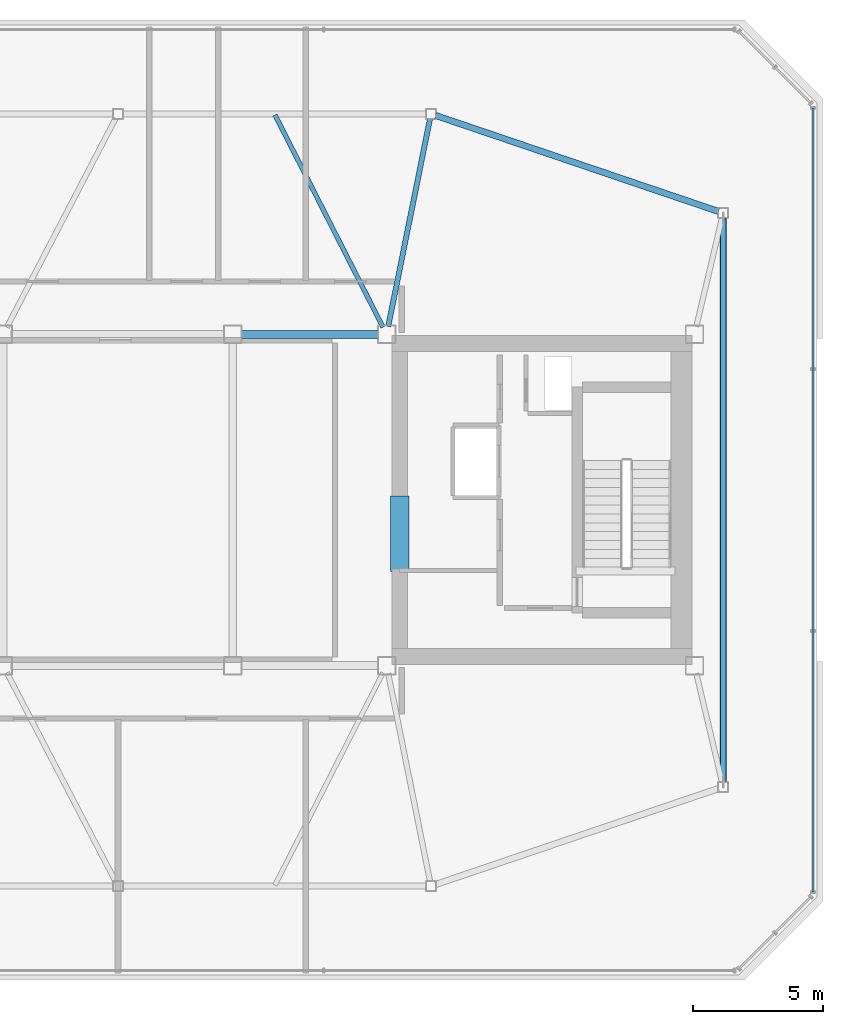
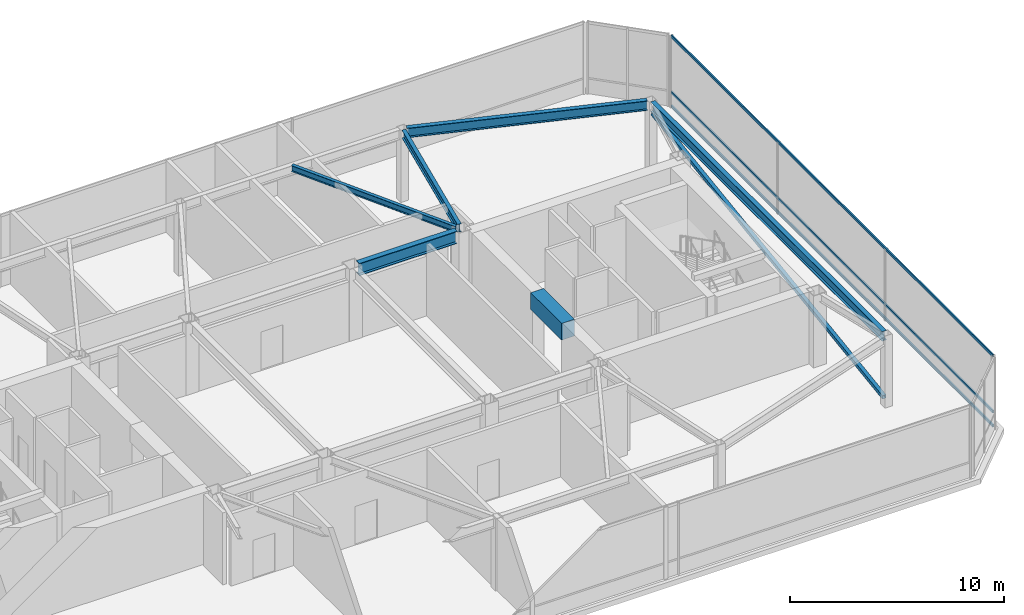
# One storey, part 11 of 22: 6 beams, 4 members, 1 element without a shape of its own.
"""IFC4 building model written with IfcOpenShell, lengths in metres."""

from ifc_helpers import new_model, si_unit, direction, frame, origin, origin_2d, place, context, subcontext, project, spatial, rectangle, hollow_rectangle, i_section, extrude, material, layer, layer_set, material_profile, profile_set, type_object, element, aggregate, save


model = new_model("IFC4")

# Units and contexts
model_context = context("Model", 3, precision=1e-05, world=origin(), true_north=direction((0.0, 1.0)))
body_context = subcontext(model_context, "Body", "Model", "MODEL_VIEW")
ifc_project = project(units=[si_unit("LENGTHUNIT", "METRE"), si_unit("AREAUNIT", "SQUARE_METRE"), si_unit("VOLUMEUNIT", "CUBIC_METRE"), si_unit("PLANEANGLEUNIT", "RADIAN"), si_unit("MASSUNIT", "GRAM", prefix="KILO")], contexts=[model_context])

# Site, building, storey
site_placement = place(None, origin())
site = spatial("IfcSite", under=ifc_project, at=site_placement, CompositionType="ELEMENT")
building_placement = place(site_placement, origin())
building = spatial("IfcBuilding", under=site, at=building_placement, Name="Tavrogorsk Clinical Tower", CompositionType="ELEMENT")
storey_placement = place(building_placement, frame((0.0, 0.0, 339.800048828125)))
storey = spatial("IfcBuildingStorey", under=building, at=storey_placement, Name="L79", CompositionType="ELEMENT", Elevation=339.800048828125)

# Beam
ifc_material_1 = material(Name="Concrete B80", Category="concrete")
ifc_material_profile_1 = material_profile(ifc_material_1, rectangle(XDim=0.699951171875, YDim=0.949951171875, at=origin_2d()), Name="RC-CB-700x950")
ifc_profile_set_1 = profile_set([ifc_material_profile_1], Name="Concrete B80")
beam_type_1 = type_object("IfcBeamType", Name="CouplingBeam_RC700x950", PredefinedType="LINTEL", material=ifc_profile_set_1)
beam_1_placement = place(storey_placement, frame((10.800048828125, -2.75, 3.625), z_axis=(0.0, 1.0, 0.0), x_axis=(-1.0, 0.0, 0.0)))
element("IfcBeam", 1, at=beam_1_placement, inside=storey, type_object=beam_type_1, Name="L79 Core East Coupling Beam", PredefinedType="LINTEL", context=body_context, shape_type="SweptSolid", body=[
    extrude(rectangle(XDim=0.699951171875, YDim=0.949951171875, at=origin_2d()), origin(), (0.0, 0.0, 1.0), 2.89990234375),
])

# Member
ifc_material_2 = material(Name="Structural steel S355", Category="steel")
ifc_material_profile_2 = material_profile(ifc_material_2, hollow_rectangle(XDim=0.199951171875, YDim=0.199951171875, WallThickness=0.010009765625, at=origin_2d()), Name="SHS-200x200x10")
ifc_profile_set_2 = profile_set([ifc_material_profile_2], Name="Structural steel S355")
member_type_1 = type_object("IfcMemberType", Name="CrownBrace_SHS200", PredefinedType="BRACE", material=ifc_profile_set_2)
member_1_placement = place(storey_placement, frame((23.199951171875, -10.792236328125, 0.32958984375), z_axis=(0.0, 0.989903983744, 0.141739560346), x_axis=(-1.0, 0.0, 0.0)))
element("IfcMember", 2, at=member_1_placement, inside=storey, type_object=member_type_1, Name="L79 Crown Drum Brace 2", PredefinedType="BRACE", context=body_context, shape_type="SweptSolid", body=[
    extrude(hollow_rectangle(XDim=0.199951171875, YDim=0.199951171875, WallThickness=0.010009765625, at=origin_2d()), origin(), (0.0, 0.0, 1.0), 21.8046875),
])

# Curtain wall, members
ifc_material_3 = material(Name="Anodised aluminium and triple IGU glazing", Category="aluminium")
ifc_layer = layer(ifc_material_3, 0.179931640625)
ifc_layer_set = layer_set([ifc_layer], Name="Anodised aluminium and triple IGU glazing")
curtain_wall_type = type_object("IfcCurtainWallType", Name="CW6_TmdLantern", PredefinedType="NOTDEFINED", material=ifc_layer_set)
curtain_wall_placement = place(storey_placement, origin())
curtain_wall = element("IfcCurtainWall", 3, at=curtain_wall_placement, inside=storey, type_object=curtain_wall_type, Name="L79 Curtain Wall CW-L79-DRUM-6", PredefinedType="NOTDEFINED")
ifc_material_4 = material(Name="Anodised aluminium alloy AW-6060", Category="aluminium")
ifc_material_profile_3 = material_profile(ifc_material_4, hollow_rectangle(XDim=0.074951171875, YDim=0.14990234375, WallThickness=0.0048828125, at=origin_2d()), Name="RHS-150x75x5")
ifc_profile_set_3 = profile_set([ifc_material_profile_3], Name="Anodised aluminium alloy AW-6060")
member_type_2 = type_object("IfcMemberType", Name="CwTransom_150x75", PredefinedType="USERDEFINED", material=ifc_profile_set_3)
member_2_placement = place(storey_placement, frame((26.639892578125, 15.02880859375, 0.050048828125), z_axis=(0.0, -1.0, 0.0), x_axis=(1.0, 0.0, 0.0)))
member_2 = element("IfcMember", 4, at=member_2_placement, type_object=member_type_2, Name="CW-L79-DRUM-6 Transom 1", ObjectType="TRANSOM", PredefinedType="USERDEFINED", context=body_context, shape_type="SweptSolid", body=[
    extrude(hollow_rectangle(XDim=0.074951171875, YDim=0.14990234375, WallThickness=0.0048828125, at=origin_2d()), origin(), (0.0, 0.0, 1.0), 30.0576171875),
])
member_3_placement = place(storey_placement, frame((26.639892578125, 15.02880859375, 0.849853515625), z_axis=(0.0, -1.0, 0.0), x_axis=(1.0, 0.0, 0.0)))
member_3 = element("IfcMember", 5, at=member_3_placement, type_object=member_type_2, Name="CW-L79-DRUM-6 Transom 2", ObjectType="TRANSOM", PredefinedType="USERDEFINED", context=body_context, shape_type="SweptSolid", body=[
    extrude(hollow_rectangle(XDim=0.074951171875, YDim=0.14990234375, WallThickness=0.0048828125, at=origin_2d()), origin(), (0.0, 0.0, 1.0), 30.0576171875),
])
member_4_placement = place(storey_placement, frame((26.639892578125, 15.02880859375, 4.050048828125), z_axis=(0.0, -1.0, 0.0), x_axis=(1.0, 0.0, 0.0)))
member_4 = element("IfcMember", 6, at=member_4_placement, type_object=member_type_2, Name="CW-L79-DRUM-6 Transom 3", ObjectType="TRANSOM", PredefinedType="USERDEFINED", context=body_context, shape_type="SweptSolid", body=[
    extrude(hollow_rectangle(XDim=0.074951171875, YDim=0.14990234375, WallThickness=0.0048828125, at=origin_2d()), origin(), (0.0, 0.0, 1.0), 30.0576171875),
])
aggregate(curtain_wall, [member_2, member_3, member_4])

# Beams
ifc_material_5 = material(Name="Structural steel S355", Category="steel")
ifc_material_profile_4 = material_profile(ifc_material_5, i_section(OverallWidth=0.199951171875, OverallDepth=0.449951171875, WebThickness=0.011474609375, FlangeThickness=0.01806640625, at=origin_2d()), Name="B-450x200x11.5x18")
ifc_profile_set_4 = profile_set([ifc_material_profile_4], Name="Structural steel S355")
beam_type_2 = type_object("IfcBeamType", Name="FloorBeam_B450", PredefinedType="BEAM", material=ifc_profile_set_4)
beam_2_placement = place(storey_placement, frame((10.361083984375, 6.65380859375, 3.875), z_axis=(0.197249355273, 0.980353350504, 0.0), x_axis=(-0.980353350504, 0.197249355273, 0.0)))
element("IfcBeam", 7, at=beam_2_placement, inside=storey, type_object=beam_type_2, Name="L79 Crown Radial Beam 06", PredefinedType="BEAM", context=body_context, shape_type="SweptSolid", body=[
    extrude(i_section(OverallWidth=0.199951171875, OverallDepth=0.449951171875, WebThickness=0.011474609375, FlangeThickness=0.01806640625, at=origin_2d()), origin(), (0.0, 0.0, 1.0), 8.119384765625),
])
ifc_material_6 = material(Name="Structural steel S390", Category="steel")
ifc_material_profile_5 = material_profile(ifc_material_6, i_section(OverallWidth=0.300048828125, OverallDepth=0.699951171875, WebThickness=0.01708984375, FlangeThickness=0.028076171875, at=origin_2d()), Name="B-700x300x17x28")
ifc_profile_set_5 = profile_set([ifc_material_profile_5], Name="Structural steel S390")
beam_type_3 = type_object("IfcBeamType", Name="PrimaryGirder_B700", PredefinedType="USERDEFINED", material=ifc_profile_set_5)
beam_3_placement = place(storey_placement, frame((4.7099609375, 6.35009765625, 3.75), z_axis=(1.0, 0.0, 0.0), x_axis=(0.0, 1.0, 0.0)))
element("IfcBeam", 8, at=beam_3_placement, inside=storey, type_object=beam_type_3, Name="L79 Primary Spine Girder MG-06", ObjectType="GIRDER", PredefinedType="USERDEFINED", context=body_context, shape_type="SweptSolid", body=[
    extrude(i_section(OverallWidth=0.300048828125, OverallDepth=0.699951171875, WebThickness=0.01708984375, FlangeThickness=0.028076171875, at=origin_2d()), origin(), (0.0, 0.0, 1.0), 5.280029296875),
])
ifc_material_7 = material(Name="Structural steel S355", Category="steel")
ifc_material_profile_6 = material_profile(ifc_material_7, i_section(OverallWidth=0.175048828125, OverallDepth=0.35009765625, WebThickness=0.009521484375, FlangeThickness=0.013916015625, at=origin_2d()), Name="B-350x175x9.5x14")
ifc_profile_set_6 = profile_set([ifc_material_profile_6], Name="Structural steel S355")
beam_type_4 = type_object("IfcBeamType", Name="SecondaryJoist_B350", PredefinedType="JOIST", material=ifc_profile_set_6)
beam_4_placement = place(storey_placement, frame((10.159423828125, 6.626220703125, 3.925048828125), z_axis=(-0.4535299827, 0.891241019474, 0.0), x_axis=(-0.891241019474, -0.4535299827, 0.0)))
element("IfcBeam", 9, at=beam_4_placement, inside=storey, type_object=beam_type_4, Name="L79 Crown Secondary Joist 04", PredefinedType="JOIST", context=body_context, shape_type="SweptSolid", body=[
    extrude(i_section(OverallWidth=0.175048828125, OverallDepth=0.35009765625, WebThickness=0.009521484375, FlangeThickness=0.013916015625, at=origin_2d()), origin(), (0.0, 0.0, 1.0), 9.12109375),
])
ifc_material_8 = material(Name="Structural steel S390", Category="steel")
ifc_material_profile_7 = material_profile(ifc_material_8, i_section(OverallWidth=0.239990234375, OverallDepth=0.550048828125, WebThickness=0.013916015625, FlangeThickness=0.02197265625, at=origin_2d()), Name="B-550x240x14x22")
ifc_profile_set_7 = profile_set([ifc_material_profile_7], Name="Structural steel S390")
beam_type_5 = type_object("IfcBeamType", Name="SpandrelBeam_B550", PredefinedType="SPANDREL", material=ifc_profile_set_7)
beam_5_placement = place(storey_placement, frame((23.199951171875, -10.81005859375, 3.824951171875), z_axis=(0.0, 1.0, 0.0), x_axis=(-1.0, 0.0, 0.0)))
element("IfcBeam", 10, at=beam_5_placement, inside=storey, type_object=beam_type_5, Name="L79 Crown Spandrel Beam 04", PredefinedType="SPANDREL", context=body_context, shape_type="SweptSolid", body=[
    extrude(i_section(OverallWidth=0.239990234375, OverallDepth=0.550048828125, WebThickness=0.013916015625, FlangeThickness=0.02197265625, at=origin_2d()), origin(), (0.0, 0.0, 1.0), 21.6201171875),
])
beam_6_placement = place(storey_placement, frame((23.02001953125, 11.06103515625, 3.824951171875), z_axis=(-0.946976266831, 0.321303517034, 0.0), x_axis=(-0.321303517034, -0.946976266831, 0.0)))
element("IfcBeam", 11, at=beam_6_placement, inside=storey, type_object=beam_type_5, Name="L79 Crown Spandrel Beam 05", PredefinedType="SPANDREL", context=body_context, shape_type="SweptSolid", body=[
    extrude(i_section(OverallWidth=0.239990234375, OverallDepth=0.550048828125, WebThickness=0.013916015625, FlangeThickness=0.02197265625, at=origin_2d()), origin(), (0.0, 0.0, 1.0), 11.447021484375),
])

save(model, "model.ifc")
